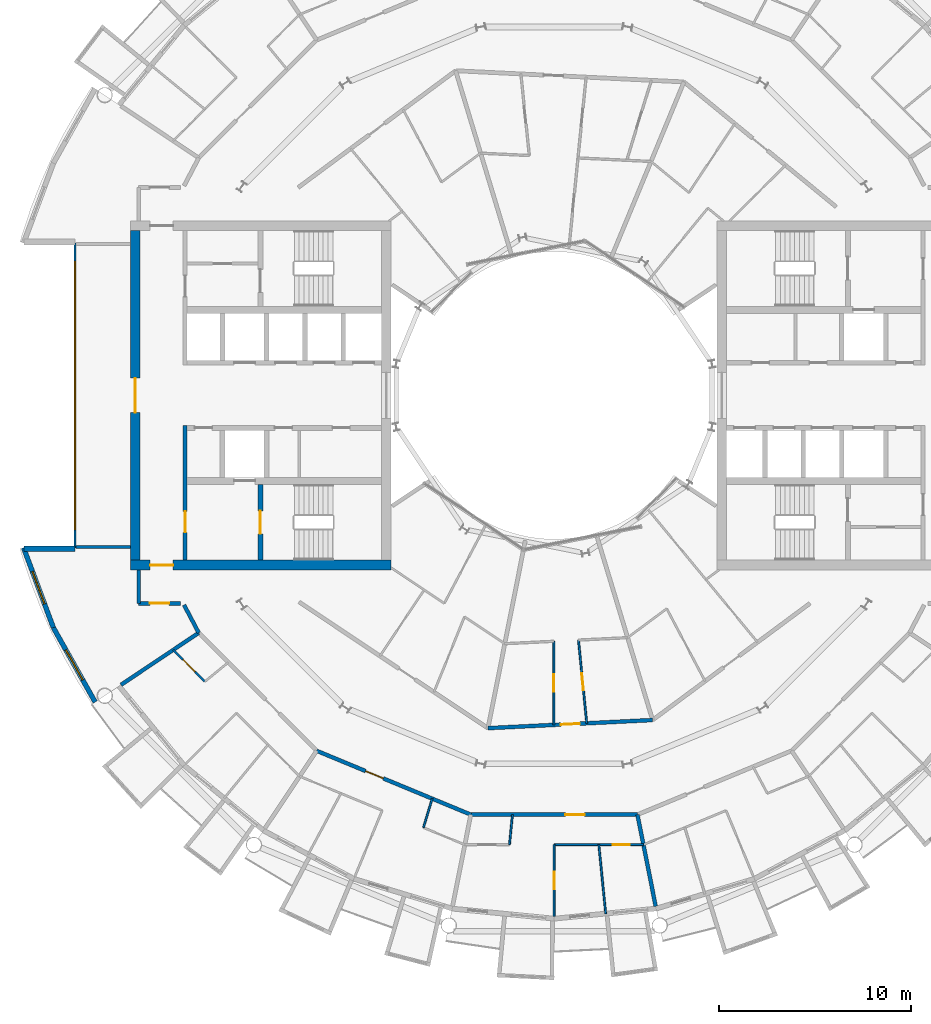
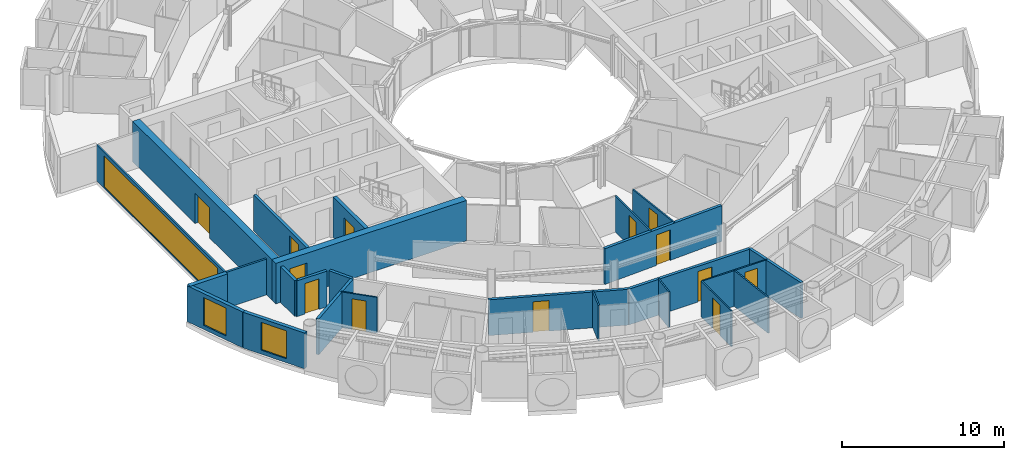
# One storey, part 15 of 27: 25 walls, 13 doors, 3 windows, 16 openings.
"""IFC4 building model written with IfcOpenShell, lengths in metres."""

import ifcopenshell
import ifcopenshell.guid

model = None  # the IFC model being written
_history = None  # IfcOwnerHistory: only IFC2X3 demands one
_inside = {}  # id of a spatial element -> (the spatial element, [elements in it])
_under = {}  # id of a project, library or spatial element -> (it, [spatial elements below it])
_declared = {}  # id of a project -> (the project, [libraries it declares])
_typed = {}  # id of a type object -> (the type object, [elements of that type])
_made_of = {}  # id of a material, layer set ... -> (it, [elements and type objects made of it])


def new_model(schema):
    """Start an empty IFC model of exactly this schema.

    Asked for "IFC4X3", IfcOpenShell would pick the latest addendum, in which some entities
    have other attributes; the version numbers below select the first issue.
    IFC2X3 requires an IfcOwnerHistory on every rooted entity: one is made here for all.
    """
    global model, _history
    if schema == "IFC4X3":
        model = ifcopenshell.file(schema_version=(4, 3, 0, 0))
    else:
        model = ifcopenshell.file(schema=schema)
    _inside.clear()
    _under.clear()
    _declared.clear()
    _typed.clear()
    _made_of.clear()
    _history = None
    if model.schema == "IFC2X3":
        org = make("IfcOrganization", Name="unknown")
        user = make(
            "IfcPersonAndOrganization",
            ThePerson=make("IfcPerson", FamilyName="unknown"),
            TheOrganization=org,
        )
        app = make(
            "IfcApplication",
            ApplicationDeveloper=org,
            Version="unknown",
            ApplicationFullName="unknown",
            ApplicationIdentifier="unknown",
        )
        _history = make(
            "IfcOwnerHistory",
            OwningUser=user,
            OwningApplication=app,
            ChangeAction="ADDED",
            CreationDate=0,
        )
    return model


def make(cls, **values):
    """One entity of the class cls with the attributes given. An attribute that is None is left unset."""
    return model.create_entity(
        cls, **{name: value for name, value in values.items() if value is not None}
    )


def rooted(cls, **values):
    """An entity with a GlobalId (a new one), such as an element, a storey or a relation."""
    return make(cls, GlobalId=ifcopenshell.guid.new(), OwnerHistory=_history, **values)


def si_unit(unit_type, name, prefix=None):
    """IfcSIUnit, for example si_unit("LENGTHUNIT", "METRE", prefix="MILLI")."""
    return make("IfcSIUnit", UnitType=unit_type, Prefix=prefix, Name=name)


def assignment(units):
    """IfcUnitAssignment: the units of a project."""
    return None if units is None else make("IfcUnitAssignment", Units=units)


def point(xyz):
    """IfcCartesianPoint."""
    return None if xyz is None else make("IfcCartesianPoint", Coordinates=xyz)


def direction(xyz):
    """IfcDirection."""
    return None if xyz is None else make("IfcDirection", DirectionRatios=xyz)


def frame(location, z_axis=None, x_axis=None):
    """IfcAxis2Placement3D, a coordinate frame: its origin and axes. An axis left out is left unset."""
    return make(
        "IfcAxis2Placement3D",
        Location=point(location),
        Axis=direction(z_axis),
        RefDirection=direction(x_axis),
    )


def frame_2d(location, x_axis=None):
    """IfcAxis2Placement2D, a coordinate frame in the plane: its origin and x axis."""
    return make(
        "IfcAxis2Placement2D", Location=point(location), RefDirection=direction(x_axis)
    )


def origin():
    """The frame at (0, 0, 0) with its axes left unset."""
    return frame((0.0, 0.0, 0.0))


def place(relative_to, where):
    """IfcLocalPlacement: puts the frame where relative to a parent placement (None: the world)."""
    return make(
        "IfcLocalPlacement", PlacementRelTo=relative_to, RelativePlacement=where
    )


def context(
    kind, dimensions, precision=None, world=None, true_north=None, identifier=None
):
    """IfcGeometricRepresentationContext, for example the 3D "Model" context."""
    return make(
        "IfcGeometricRepresentationContext",
        ContextIdentifier=identifier,
        ContextType=kind,
        CoordinateSpaceDimension=dimensions,
        Precision=precision,
        WorldCoordinateSystem=world,
        TrueNorth=true_north,
    )


def subcontext(parent, identifier, kind, view, scale=None):
    """IfcGeometricRepresentationSubContext, for example "Body" below "Model"."""
    return make(
        "IfcGeometricRepresentationSubContext",
        ContextIdentifier=identifier,
        ContextType=kind,
        ParentContext=parent,
        TargetScale=scale,
        TargetView=view,
    )


def project(units=None, contexts=None):
    """IfcProject with its units and contexts."""
    return rooted(
        "IfcProject",
        Name="project",
        RepresentationContexts=contexts,
        UnitsInContext=assignment(units),
    )


def spatial(cls, under=None, at=None, **own):
    """A site, building, storey or space (cls), placed at a placement, below another one or the project."""
    s = rooted(cls, ObjectPlacement=at, **own)
    if under is not None:
        _under.setdefault(under.id(), (under, []))[1].append(s)
    return s


def profile(cls, at=None, kind="AREA", **sizes):
    """A parametric profile (cls). Its sizes go by their IFC names, for example OverallWidth=200.0."""
    return make(cls, ProfileType=kind, Position=at, **sizes)


def rectangle(**sizes):
    """IfcRectangleProfileDef."""
    return profile("IfcRectangleProfileDef", **sizes)


def extrude(swept, where, along, depth):
    """IfcExtrudedAreaSolid: the profile swept, set in the frame where, extruded along a direction by depth."""
    return make(
        "IfcExtrudedAreaSolid",
        SweptArea=swept,
        Position=where,
        ExtrudedDirection=direction(along),
        Depth=depth,
    )


def shape(context_of_items, identifier, shape_type, items):
    """IfcShapeRepresentation: the items that make up one representation, for example the "Body"."""
    return make(
        "IfcShapeRepresentation",
        ContextOfItems=context_of_items,
        RepresentationIdentifier=identifier,
        RepresentationType=shape_type,
        Items=items,
    )


def material(Name=None, Category=None):
    """IfcMaterial."""
    return make("IfcMaterial", Name=Name, Category=Category)


def layer(
    of_material, thickness, ventilated=None, Name=None, Category=None, Priority=None
):
    """IfcMaterialLayer: one layer of a wall or slab, of a material (None: an air gap)."""
    return make(
        "IfcMaterialLayer",
        Material=of_material,
        LayerThickness=thickness,
        IsVentilated=ventilated,
        Name=Name,
        Category=Category,
        Priority=Priority,
    )


def layer_set(layers, Name=None):
    """IfcMaterialLayerSet."""
    return make("IfcMaterialLayerSet", MaterialLayers=layers, LayerSetName=Name)


def made_of(thing, what):
    """Note that an element or type object is made of a material, layer set ...; save() writes the relation."""
    if what is not None:
        _made_of.setdefault(what.id(), (what, []))[1].append(thing)
    return thing


def type_object(cls, material=None, **own):
    """A type object (cls), such as IfcWallType, which elements share."""
    return made_of(rooted(cls, **own), material)


def element(
    cls,
    number,
    at=None,
    inside=None,
    cuts=None,
    type_object=None,
    material=None,
    context=None,
    identifier="Body",
    shape_type=None,
    held_by="IfcProductDefinitionShape",
    body=None,
    shapes=None,
    **own,
):
    """One element of the class cls, such as IfcWall. Its Tag is "e" and its number.

    at: its placement. inside: the storey or other place that contains it. cuts: it is an
    opening in that element (IfcRelVoidsElement). A single representation is given by context,
    identifier, shape_type and body (its items); several are given by shapes. held_by: the class
    of the entity that holds the representations. save() writes the other relations.
    """
    e = rooted(cls, Tag="e%d" % number, ObjectPlacement=at, **own)
    if body is not None:
        shapes = [shape(context, identifier, shape_type, body)]
    if shapes is not None:
        e.Representation = make(held_by, Representations=shapes)
    if inside is not None:
        _inside.setdefault(inside.id(), (inside, []))[1].append(e)
    if cuts is not None:
        rooted(
            "IfcRelVoidsElement", RelatingBuildingElement=cuts, RelatedOpeningElement=e
        )
    if type_object is not None:
        _typed.setdefault(type_object.id(), (type_object, []))[1].append(e)
    return made_of(e, material)


def fill(opening, filler):
    """IfcRelFillsElement: the door or window that sits in an opening."""
    return rooted(
        "IfcRelFillsElement",
        RelatingOpeningElement=opening,
        RelatedBuildingElement=filler,
    )


def aggregate(whole, parts):
    """IfcRelAggregates: a whole, such as a stair, and the parts it consists of."""
    return rooted("IfcRelAggregates", RelatingObject=whole, RelatedObjects=parts)


def save(model, path):
    """Write the relations noted so far, then the file.

    IfcRelAggregates (storeys below a building ...), IfcRelContainedInSpatialStructure (elements
    in a storey), IfcRelDefinesByType, IfcRelAssociatesMaterial and IfcRelDeclares: one each for
    every whole, place, type object, material and project.
    """
    for whole, parts in _under.values():
        aggregate(whole, parts)
    for where, things in _inside.values():
        rooted(
            "IfcRelContainedInSpatialStructure",
            RelatedElements=things,
            RelatingStructure=where,
        )
    for kind, things in _typed.values():
        rooted("IfcRelDefinesByType", RelatedObjects=things, RelatingType=kind)
    for what, things in _made_of.values():
        rooted("IfcRelAssociatesMaterial", RelatedObjects=things, RelatingMaterial=what)
    for by, libraries in _declared.values():
        rooted("IfcRelDeclares", RelatingContext=by, RelatedDefinitions=libraries)
    model.write(path)


model = new_model("IFC4")

# Units and contexts
model_context = context("Model", 3, precision=1e-05, world=origin(), true_north=direction((0.0, 1.0)))
body_context = subcontext(model_context, "Body", "Model", "MODEL_VIEW")
ifc_project = project(units=[si_unit("LENGTHUNIT", "METRE"), si_unit("AREAUNIT", "SQUARE_METRE"), si_unit("VOLUMEUNIT", "CUBIC_METRE"), si_unit("PLANEANGLEUNIT", "RADIAN"), si_unit("MASSUNIT", "GRAM", prefix="KILO")], contexts=[model_context])

# Site, building, storey
site_placement = place(None, origin())
site = spatial("IfcSite", under=ifc_project, at=site_placement, CompositionType="ELEMENT")
building_placement = place(site_placement, origin())
building = spatial("IfcBuilding", under=site, at=building_placement, Name="Maasbend Ring Residences", CompositionType="ELEMENT")
storey_placement = place(building_placement, frame((0.0, 0.0, 170.75)))
storey = spatial("IfcBuildingStorey", under=building, at=storey_placement, Name="L49", CompositionType="ELEMENT", Elevation=170.75)

# Wall, opening, door
ifc_material_1 = material(Name="Concrete C60/75", Category="concrete")
ifc_layer_1 = layer(ifc_material_1, 0.25)
ifc_layer_set_1 = layer_set([ifc_layer_1], Name="Concrete C60/75")
wall_type_1 = type_object("IfcWallType", Name="CORE WALL 250 C60/75", PredefinedType="SHEAR", material=ifc_layer_set_1)
wall_1_placement = place(storey_placement, frame((-15.324951171875, -4.64990234375, 0.0), z_axis=(0.0, 0.0, 1.0), x_axis=(0.0, -1.0, 0.0)))
wall_1 = element("IfcWall", 1, at=wall_1_placement, inside=storey, type_object=wall_type_1, Name="L49 core W wall STEN", PredefinedType="SHEAR", context=body_context, shape_type="SweptSolid", body=[
    extrude(rectangle(XDim=3.9501953125, YDim=0.25, at=frame_2d((1.97509765625, 0.0))), origin(), (0.0, 0.0, 1.0), 3.050048828125),
])
opening_1_placement = place(wall_1_placement, frame((1.375, 0.0, 0.0)))
opening_1 = element("IfcOpeningElement", 2, at=opening_1_placement, cuts=wall_1, Name="Opening D-W4910", PredefinedType="OPENING", context=body_context, shape_type="SweptSolid", body=[
    extrude(rectangle(XDim=1.199951171875, YDim=2.300048828125, at=frame_2d((0.60009765625, 1.14990234375))), frame((0.0, 0.135009765625, 0.0), z_axis=(0.0, -1.0, 0.0), x_axis=(1.0, 0.0, 0.0)), (0.0, 0.0, 1.0), 0.27001953125),
])
ifc_material_2 = material(Name="Steel, powder coated", Category="steel")
door_type_1 = type_object("IfcDoorType", Name="STAIR DOOR 1200 X 2300 FD60", OperationType="NOTDEFINED", PredefinedType="DOOR", material=ifc_material_2)
door_1_placement = place(opening_1_placement, origin())
door_1 = element("IfcDoor", 3, at=door_1_placement, inside=storey, type_object=door_type_1, Name="Stair door ST-W L49", OperationType="SINGLE_SWING_LEFT", OverallHeight=2.300048828125, OverallWidth=1.199951171875, PredefinedType="DOOR", context=body_context, shape_type="SweptSolid", body=[
    extrude(rectangle(XDim=1.199951171875, YDim=2.300048828125, at=frame_2d((0.60009765625, 1.14990234375))), frame((0.0, 0.02490234375, 0.0), z_axis=(0.0, -1.0, 0.0), x_axis=(1.0, 0.0, 0.0)), (0.0, 0.0, 1.0), 0.050048828125),
])
fill(opening_1, door_1)

ifc_material_3 = material(Name="Concrete C60/75", Category="concrete")
ifc_layer_2 = layer(ifc_material_3, 0.5)
ifc_layer_set_2 = layer_set([ifc_layer_2], Name="Concrete C60/75")
wall_type_2 = type_object("IfcWallType", Name="CORE WALL 500 C60/75", PredefinedType="SHEAR", material=ifc_layer_set_2)
wall_2_placement = place(storey_placement, frame((-22.10009765625, -8.85009765625, 0.0), z_axis=(0.0, 0.0, 1.0), x_axis=(1.0, 0.0, 0.0)))
wall_2 = element("IfcWall", 4, at=wall_2_placement, inside=storey, type_object=wall_type_2, Name="L49 core W wall PN", PredefinedType="SHEAR", context=body_context, shape_type="SweptSolid", body=[
    extrude(rectangle(XDim=13.60009765625, YDim=0.5, at=frame_2d((6.800048828125, 0.0))), origin(), (0.0, 0.0, 1.0), 3.050048828125),
])
opening_2_placement = place(wall_2_placement, frame((1.02490234375, 0.0, 0.0)))
opening_2 = element("IfcOpeningElement", 5, at=opening_2_placement, cuts=wall_2, Name="Opening D-W4914", PredefinedType="OPENING", context=body_context, shape_type="SweptSolid", body=[
    extrude(rectangle(XDim=1.199951171875, YDim=2.300048828125, at=frame_2d((0.60009765625, 1.14990234375))), frame((0.0, 0.260009765625, 0.0), z_axis=(0.0, -1.0, 0.0), x_axis=(1.0, 0.0, 0.0)), (0.0, 0.0, 1.0), 0.52001953125),
])
ifc_material_4 = material(Name="Steel, powder coated", Category="steel")
door_type_2 = type_object("IfcDoorType", Name="CORRIDOR DOOR 1200 X 2300 FD30S", OperationType="NOTDEFINED", PredefinedType="DOOR", material=ifc_material_4)
door_2_placement = place(opening_2_placement, origin())
door_2 = element("IfcDoor", 6, at=door_2_placement, inside=storey, type_object=door_type_2, Name="Corridor door L49", OperationType="SINGLE_SWING_RIGHT", OverallHeight=2.300048828125, OverallWidth=1.199951171875, PredefinedType="DOOR", context=body_context, shape_type="SweptSolid", body=[
    extrude(rectangle(XDim=1.199951171875, YDim=2.300048828125, at=frame_2d((0.60009765625, 1.14990234375))), frame((0.0, 0.02490234375, 0.0), z_axis=(0.0, -1.0, 0.0), x_axis=(1.0, 0.0, 0.0)), (0.0, 0.0, 1.0), 0.050048828125),
])
fill(opening_2, door_2)

wall_3_placement = place(storey_placement, frame((-21.85009765625, -8.60009765625, 0.0), z_axis=(0.0, 0.0, 1.0), x_axis=(0.0, 1.0, 0.0)))
wall_3 = element("IfcWall", 7, at=wall_3_placement, inside=storey, type_object=wall_type_2, Name="L49 core W wall POUT", PredefinedType="SHEAR", context=body_context, shape_type="SweptSolid", body=[
    extrude(rectangle(XDim=17.2001953125, YDim=0.5, at=frame_2d((8.60009765625, 0.0))), origin(), (0.0, 0.0, 1.0), 3.050048828125),
])
opening_3_placement = place(wall_3_placement, frame((7.699951171875, 0.0, 0.0)))
opening_3 = element("IfcOpeningElement", 8, at=opening_3_placement, cuts=wall_3, Name="Opening D-W4916", PredefinedType="OPENING", context=body_context, shape_type="SweptSolid", body=[
    extrude(rectangle(XDim=1.800048828125, YDim=2.300048828125, at=frame_2d((0.89990234375, 1.14990234375))), frame((0.0, 0.260009765625, 0.0), z_axis=(0.0, -1.0, 0.0), x_axis=(1.0, 0.0, 0.0)), (0.0, 0.0, 1.0), 0.52001953125),
])
ifc_material_5 = material(Name="Aluminium frame, clear glass", Category="aluminium")
door_type_3 = type_object("IfcDoorType", Name="ENTRANCE DOOR 1800 X 2300 FD60", OperationType="NOTDEFINED", PredefinedType="DOOR", material=ifc_material_5)
door_3_placement = place(opening_3_placement, origin())
door_3 = element("IfcDoor", 9, at=door_3_placement, inside=storey, type_object=door_type_3, Name="Lobby glazed door L49", OperationType="SINGLE_SWING_LEFT", OverallHeight=2.300048828125, OverallWidth=1.800048828125, PredefinedType="DOOR", context=body_context, shape_type="SweptSolid", body=[
    extrude(rectangle(XDim=1.800048828125, YDim=2.300048828125, at=frame_2d((0.89990234375, 1.14990234375))), frame((0.0, 0.02490234375, 0.0), z_axis=(0.0, -1.0, 0.0), x_axis=(1.0, 0.0, 0.0)), (0.0, 0.0, 1.0), 0.050048828125),
])
fill(opening_3, door_3)

# Wall
ifc_material_6 = material(Name="Concrete C30/37", Category="concrete")
ifc_layer_3 = layer(ifc_material_6, 0.199951171875)
ifc_layer_set_3 = layer_set([ifc_layer_3], Name="Concrete C30/37")
wall_type_3 = type_object("IfcWallType", Name="CORRIDOR WALL 200 CONCRETE", PredefinedType="PARTITIONING", material=ifc_layer_set_3)
wall_4_placement = place(storey_placement, frame((-19.306884765625, -10.93505859375, 0.0), z_axis=(0.0, 0.0, 1.0), x_axis=(0.465605550524, -0.884992356646, 0.0)))
element("IfcWall", 10, at=wall_4_placement, inside=storey, type_object=wall_type_3, Name="U-L49-w011", PredefinedType="PARTITIONING", context=body_context, shape_type="SweptSolid", body=[
    extrude(rectangle(XDim=1.642822265625, YDim=0.199951171875, at=frame_2d((0.8212890625, 0.0))), origin(), (0.0, 0.0, 1.0), 2.699951171875),
])

# Wall, opening, door
wall_5_placement = place(storey_placement, frame((-12.388916015625, -18.5419921875, 0.0), z_axis=(0.0, 0.0, 1.0), x_axis=(0.923867858178, -0.382711615483, 0.0)))
wall_5 = element("IfcWall", 11, at=wall_5_placement, inside=storey, type_object=wall_type_3, Name="U-L49-w014", PredefinedType="PARTITIONING", context=body_context, shape_type="SweptSolid", body=[
    extrude(rectangle(XDim=8.708984375, YDim=0.199951171875, at=frame_2d((4.3544921875, 0.0))), origin(), (0.0, 0.0, 1.0), 2.699951171875),
])
opening_4_placement = place(wall_5_placement, frame((2.762939453125, 0.0, 0.0)))
opening_4 = element("IfcOpeningElement", 12, at=opening_4_placement, cuts=wall_5, Name="Opening D-4938", PredefinedType="OPENING", context=body_context, shape_type="SweptSolid", body=[
    extrude(rectangle(XDim=1.0, YDim=2.300048828125, at=frame_2d((0.5, 1.14990234375))), frame((0.0, 0.10986328125, 0.0), z_axis=(0.0, -1.0, 0.0), x_axis=(1.0, 0.0, 0.0)), (0.0, 0.0, 1.0), 0.219970703125),
])
ifc_material_7 = material(Name="Timber, fire-rated, painted", Category="wood")
door_type_4 = type_object("IfcDoorType", Name="FLAT ENTRANCE DOOR 1000 X 2300 FIRE-RATED", OperationType="NOTDEFINED", PredefinedType="DOOR", material=ifc_material_7)
door_4_placement = place(opening_4_placement, origin())
door_4 = element("IfcDoor", 13, at=door_4_placement, inside=storey, type_object=door_type_4, Name="D-4938", OperationType="SINGLE_SWING_LEFT", OverallHeight=2.300048828125, OverallWidth=1.0, PredefinedType="DOOR", context=body_context, shape_type="SweptSolid", body=[
    extrude(rectangle(XDim=1.0, YDim=2.300048828125, at=frame_2d((0.5, 1.14990234375))), frame((0.0, 0.02490234375, 0.0), z_axis=(0.0, -1.0, 0.0), x_axis=(1.0, 0.0, 0.0)), (0.0, 0.0, 1.0), 0.050048828125),
])
fill(opening_4, door_4)

wall_6_placement = place(storey_placement, frame((-4.35107421875, -21.8720703125, 0.0), z_axis=(0.0, 0.0, 1.0), x_axis=(1.0, 0.0, 0.0)))
wall_6 = element("IfcWall", 14, at=wall_6_placement, inside=storey, type_object=wall_type_3, Name="U-L49-w015", PredefinedType="PARTITIONING", context=body_context, shape_type="SweptSolid", body=[
    extrude(rectangle(XDim=8.7021484375, YDim=0.199951171875, at=frame_2d((4.35107421875, 0.0))), origin(), (0.0, 0.0, 1.0), 2.699951171875),
])
opening_5_placement = place(wall_6_placement, frame((4.93896484375, 0.0, 0.0)))
opening_5 = element("IfcOpeningElement", 15, at=opening_5_placement, cuts=wall_6, Name="Opening D-4942", PredefinedType="OPENING", context=body_context, shape_type="SweptSolid", body=[
    extrude(rectangle(XDim=1.0, YDim=2.300048828125, at=frame_2d((0.5, 1.14990234375))), frame((0.0, 0.10986328125, 0.0), z_axis=(0.0, -1.0, 0.0), x_axis=(1.0, 0.0, 0.0)), (0.0, 0.0, 1.0), 0.219970703125),
])
door_5_placement = place(opening_5_placement, origin())
door_5 = element("IfcDoor", 16, at=door_5_placement, inside=storey, type_object=door_type_4, Name="D-4942", OperationType="SINGLE_SWING_RIGHT", OverallHeight=2.300048828125, OverallWidth=1.0, PredefinedType="DOOR", context=body_context, shape_type="SweptSolid", body=[
    extrude(rectangle(XDim=1.0, YDim=2.300048828125, at=frame_2d((0.5, 1.14990234375))), frame((0.0, 0.02490234375, 0.0), z_axis=(0.0, -1.0, 0.0), x_axis=(1.0, 0.0, 0.0)), (0.0, 0.0, 1.0), 0.050048828125),
])
fill(opening_5, door_5)

wall_7_placement = place(storey_placement, frame((-3.452880859375, -17.361083984375, 0.0), z_axis=(0.0, 0.0, 1.0), x_axis=(0.998789433108, 0.049190124121, 0.0)))
wall_7 = element("IfcWall", 17, at=wall_7_placement, inside=storey, type_object=wall_type_3, Name="U-L49-w020", PredefinedType="PARTITIONING", context=body_context, shape_type="SweptSolid", body=[
    extrude(rectangle(XDim=8.601318359375, YDim=0.199951171875, at=frame_2d((4.30078125, 0.0))), origin(), (0.0, 0.0, 1.0), 2.699951171875),
])
opening_6_placement = place(wall_7_placement, frame((3.802978515625, 0.0, 0.0)))
opening_6 = element("IfcOpeningElement", 18, at=opening_6_placement, cuts=wall_7, Name="Opening D-4958", PredefinedType="OPENING", context=body_context, shape_type="SweptSolid", body=[
    extrude(rectangle(XDim=1.0, YDim=2.300048828125, at=frame_2d((0.5, 1.14990234375))), frame((0.0, 0.10986328125, 0.0), z_axis=(0.0, -1.0, 0.0), x_axis=(1.0, 0.0, 0.0)), (0.0, 0.0, 1.0), 0.219970703125),
])
door_6_placement = place(opening_6_placement, origin())
door_6 = element("IfcDoor", 19, at=door_6_placement, inside=storey, type_object=door_type_4, Name="D-4958", OperationType="SINGLE_SWING_RIGHT", OverallHeight=2.300048828125, OverallWidth=1.0, PredefinedType="DOOR", context=body_context, shape_type="SweptSolid", body=[
    extrude(rectangle(XDim=1.0, YDim=2.300048828125, at=frame_2d((0.5, 1.14990234375))), frame((0.0, 0.02490234375, 0.0), z_axis=(0.0, -1.0, 0.0), x_axis=(1.0, 0.0, 0.0)), (0.0, 0.0, 1.0), 0.050048828125),
])
fill(opening_6, door_6)

wall_8_placement = place(storey_placement, frame((-21.675048828125, -10.85009765625, 0.0), z_axis=(0.0, 0.0, 1.0), x_axis=(1.0, 0.0, 0.0)))
wall_8 = element("IfcWall", 20, at=wall_8_placement, inside=storey, type_object=wall_type_3, Name="U-L49-w029", PredefinedType="PARTITIONING", context=body_context, shape_type="SweptSolid", body=[
    extrude(rectangle(XDim=2.171142578125, YDim=0.199951171875, at=frame_2d((1.08544921875, 0.0))), origin(), (0.0, 0.0, 1.0), 2.699951171875),
])
opening_7_placement = place(wall_8_placement, frame((0.5849609375, 0.0, 0.0)))
opening_7 = element("IfcOpeningElement", 21, at=opening_7_placement, cuts=wall_8, Name="Opening D-4965", PredefinedType="OPENING", context=body_context, shape_type="SweptSolid", body=[
    extrude(rectangle(XDim=1.0, YDim=2.300048828125, at=frame_2d((0.5, 1.14990234375))), frame((0.0, 0.10986328125, 0.0), z_axis=(0.0, -1.0, 0.0), x_axis=(1.0, 0.0, 0.0)), (0.0, 0.0, 1.0), 0.219970703125),
])
ifc_material_8 = material(Name="Timber, painted", Category="wood")
door_type_5 = type_object("IfcDoorType", Name="ROOM DOOR 1000 X 2300", OperationType="NOTDEFINED", PredefinedType="DOOR", material=ifc_material_8)
door_7_placement = place(opening_7_placement, origin())
door_7 = element("IfcDoor", 22, at=door_7_placement, inside=storey, type_object=door_type_5, Name="D-4965", OperationType="SINGLE_SWING_LEFT", OverallHeight=2.300048828125, OverallWidth=1.0, PredefinedType="DOOR", context=body_context, shape_type="SweptSolid", body=[
    extrude(rectangle(XDim=1.0, YDim=2.300048828125, at=frame_2d((0.5, 1.14990234375))), frame((0.0, 0.02490234375, 0.0), z_axis=(0.0, -1.0, 0.0), x_axis=(1.0, 0.0, 0.0)), (0.0, 0.0, 1.0), 0.050048828125),
])
fill(opening_7, door_7)

# Wall
wall_9_placement = place(storey_placement, frame((-21.675048828125, -10.85009765625, 0.0), z_axis=(0.0, 0.0, 1.0), x_axis=(0.0, 1.0, 0.0)))
element("IfcWall", 23, at=wall_9_placement, inside=storey, type_object=wall_type_3, Name="U-L49-w107", PredefinedType="PARTITIONING", context=body_context, shape_type="SweptSolid", body=[
    extrude(rectangle(XDim=1.75, YDim=0.199951171875, at=frame_2d((0.875, 0.0))), origin(), (0.0, 0.0, 1.0), 2.699951171875),
])

# Wall, opening, window
ifc_material_9 = material(Name="Aluminium clad insulated panel", Category="aluminium")
ifc_layer_4 = layer(ifc_material_9, 0.25)
ifc_layer_set_4 = layer_set([ifc_layer_4], Name="EW-HORN")
wall_type_4 = type_object("IfcWallType", Name="EW-HORN", PredefinedType="SOLIDWALL", material=ifc_layer_set_4)
wall_10_placement = place(storey_placement, frame((-27.681884765625, -7.945068359375, 0.0), z_axis=(0.0, 0.0, 1.0), x_axis=(0.349247811493, -0.937030397675, 0.0)))
wall_10 = element("IfcWall", 24, at=wall_10_placement, inside=storey, type_object=wall_type_4, Name="Horn wall 3.1", PredefinedType="SOLIDWALL", context=body_context, shape_type="SweptSolid", body=[
    extrude(rectangle(XDim=4.4521484375, YDim=0.25, at=frame_2d((2.22607421875, 0.0))), origin(), (0.0, 0.0, 1.0), 2.699951171875),
])
opening_8_placement = place(wall_10_placement, frame((1.32666015625, 0.0, 0.300048828125)))
opening_8 = element("IfcOpeningElement", 25, at=opening_8_placement, cuts=wall_10, Name="Opening W-BX", PredefinedType="OPENING", context=body_context, shape_type="SweptSolid", body=[
    extrude(rectangle(XDim=1.800048828125, YDim=2.10009765625, at=frame_2d((0.89990234375, 1.050048828125))), frame((0.0, 0.135009765625, 0.0), z_axis=(0.0, -1.0, 0.0), x_axis=(1.0, 0.0, 0.0)), (0.0, 0.0, 1.0), 0.27001953125),
])
ifc_material_10 = material(Name="Aluminium and clear glass", Category="aluminium")
window_type_1 = type_object("IfcWindowType", Name="W-BX", PartitioningType="DOUBLE_PANEL_VERTICAL", PredefinedType="WINDOW", material=ifc_material_10)
window_1_placement = place(opening_8_placement, origin())
window_1 = element("IfcWindow", 26, at=window_1_placement, inside=storey, type_object=window_type_1, Name="Horn window 3.1", OverallHeight=2.10009765625, OverallWidth=1.800048828125, PartitioningType="SINGLE_PANEL", PredefinedType="WINDOW", context=body_context, shape_type="SweptSolid", body=[
    extrude(rectangle(XDim=1.800048828125, YDim=2.10009765625, at=frame_2d((0.89990234375, 1.050048828125))), frame((0.0, 0.030029296875, 0.0), z_axis=(0.0, -1.0, 0.0), x_axis=(1.0, 0.0, 0.0)), (0.0, 0.0, 1.0), 0.06005859375),
])
fill(opening_8, window_1)

wall_11_placement = place(storey_placement, frame((-26.126953125, -12.116943359375, 0.0), z_axis=(0.0, 0.0, 1.0), x_axis=(0.489696356642, -0.871893042919, 0.0)))
wall_11 = element("IfcWall", 27, at=wall_11_placement, inside=storey, type_object=wall_type_4, Name="Horn wall 3.2", PredefinedType="SOLIDWALL", context=body_context, shape_type="SweptSolid", body=[
    extrude(rectangle(XDim=4.45361328125, YDim=0.25, at=frame_2d((2.226806640625, 0.0))), origin(), (0.0, 0.0, 1.0), 2.699951171875),
])
opening_9_placement = place(wall_11_placement, frame((1.32666015625, 0.0, 0.300048828125)))
opening_9 = element("IfcOpeningElement", 28, at=opening_9_placement, cuts=wall_11, Name="Opening W-BX", PredefinedType="OPENING", context=body_context, shape_type="SweptSolid", body=[
    extrude(rectangle(XDim=1.800048828125, YDim=2.10009765625, at=frame_2d((0.89990234375, 1.050048828125))), frame((0.0, 0.135009765625, 0.0), z_axis=(0.0, -1.0, 0.0), x_axis=(1.0, 0.0, 0.0)), (0.0, 0.0, 1.0), 0.27001953125),
])
window_2_placement = place(opening_9_placement, origin())
window_2 = element("IfcWindow", 29, at=window_2_placement, inside=storey, type_object=window_type_1, Name="Horn window 3.2", OverallHeight=2.10009765625, OverallWidth=1.800048828125, PartitioningType="SINGLE_PANEL", PredefinedType="WINDOW", context=body_context, shape_type="SweptSolid", body=[
    extrude(rectangle(XDim=1.800048828125, YDim=2.10009765625, at=frame_2d((0.89990234375, 1.050048828125))), frame((0.0, 0.030029296875, 0.0), z_axis=(0.0, -1.0, 0.0), x_axis=(1.0, 0.0, 0.0)), (0.0, 0.0, 1.0), 0.06005859375),
])
fill(opening_9, window_2)

# Wall
ifc_material_11 = material(Name="Aluminium clad insulated panel", Category="aluminium")
ifc_layer_5 = layer(ifc_material_11, 0.300048828125)
ifc_layer_set_5 = layer_set([ifc_layer_5], Name="EW-RET")
wall_type_5 = type_object("IfcWallType", Name="EW-RET", PredefinedType="SOLIDWALL", material=ifc_layer_set_5)
wall_12_placement = place(storey_placement, frame((-25.0, -8.0, 0.0), z_axis=(0.0, 0.0, 1.0), x_axis=(-1.0, 0.0, 0.0)))
element("IfcWall", 30, at=wall_12_placement, inside=storey, type_object=wall_type_5, Name="Notch return wall west south", PredefinedType="SOLIDWALL", context=body_context, shape_type="SweptSolid", body=[
    extrude(rectangle(XDim=2.6669921875, YDim=0.300048828125, at=frame_2d((1.33349609375, 0.0))), origin(), (0.0, 0.0, 1.0), 2.699951171875),
])

# Wall, opening, window
ifc_material_12 = material(Name="Aluminium frame and clear glass", Category="aluminium")
ifc_layer_6 = layer(ifc_material_12, 0.1201171875)
ifc_layer_set_6 = layer_set([ifc_layer_6], Name="GLAZED SCREEN WALL 120 EI 60")
wall_type_6 = type_object("IfcWallType", Name="GLAZED SCREEN WALL 120 EI 60", PredefinedType="PARTITIONING", material=ifc_layer_set_6)
wall_13_placement = place(storey_placement, frame((-25.0, 7.949951171875, 0.0), z_axis=(0.0, 0.0, 1.0), x_axis=(0.0, -1.0, 0.0)))
wall_13 = element("IfcWall", 31, at=wall_13_placement, inside=storey, type_object=wall_type_6, Name="L49 core W wall FACE", PredefinedType="PARTITIONING", context=body_context, shape_type="SweptSolid", body=[
    extrude(rectangle(XDim=15.89990234375, YDim=0.1201171875, at=frame_2d((7.949951171875, 0.0))), origin(), (0.0, 0.0, 1.0), 2.699951171875),
])
opening_10_placement = place(wall_13_placement, frame((0.949951171875, 0.0, 0.10009765625)))
opening_10 = element("IfcOpeningElement", 32, at=opening_10_placement, cuts=wall_13, Name="Opening W-W4902", PredefinedType="OPENING", context=body_context, shape_type="SweptSolid", body=[
    extrude(rectangle(XDim=14.0, YDim=2.35009765625, at=frame_2d((7.0, 1.175048828125))), frame((0.0, 0.070068359375, 0.0), z_axis=(0.0, -1.0, 0.0), x_axis=(1.0, 0.0, 0.0)), (0.0, 0.0, 1.0), 0.14013671875),
])
ifc_material_13 = material(Name="Aluminium frame and clear glass", Category="aluminium")
window_type_2 = type_object("IfcWindowType", Name="FIXED WINDOW 14000 X 2350", PartitioningType="SINGLE_PANEL", PredefinedType="WINDOW", material=ifc_material_13)
window_3_placement = place(opening_10_placement, origin())
window_3 = element("IfcWindow", 33, at=window_3_placement, inside=storey, type_object=window_type_2, Name="Lobby window L49", OverallHeight=2.35009765625, OverallWidth=14.0, PartitioningType="SINGLE_PANEL", PredefinedType="WINDOW", context=body_context, shape_type="SweptSolid", body=[
    extrude(rectangle(XDim=14.0, YDim=2.35009765625, at=frame_2d((7.0, 1.175048828125))), frame((0.0, 0.030029296875, 0.0), z_axis=(0.0, -1.0, 0.0), x_axis=(1.0, 0.0, 0.0)), (0.0, 0.0, 1.0), 0.06005859375),
])
fill(opening_10, window_3)

# Wall, opening, door
ifc_material_14 = material(Name="Gypsum board on steel studs", Category="steel")
ifc_layer_7 = layer(ifc_material_14, 0.10009765625)
ifc_layer_set_7 = layer_set([ifc_layer_7], Name="PARTITION 100 GYPSUM")
wall_type_7 = type_object("IfcWallType", Name="PARTITION 100 GYPSUM", PredefinedType="PARTITIONING", material=ifc_layer_set_7)
wall_14_placement = place(storey_placement, frame((-19.8720703125, -13.278076171875, 0.0), z_axis=(0.0, 0.0, 1.0), x_axis=(0.706897299114, -0.707316201218, 0.0)))
wall_14 = element("IfcWall", 34, at=wall_14_placement, inside=storey, type_object=wall_type_7, Name="U-L49-w001", PredefinedType="PARTITIONING", context=body_context, shape_type="SweptSolid", body=[
    extrude(rectangle(XDim=2.331298828125, YDim=0.10009765625, at=frame_2d((1.16552734375, 0.0))), origin(), (0.0, 0.0, 1.0), 2.699951171875),
])
opening_11_placement = place(wall_14_placement, frame((0.716064453125, 0.0, 0.0)))
opening_11 = element("IfcOpeningElement", 35, at=opening_11_placement, cuts=wall_14, Name="Opening D-4935", PredefinedType="OPENING", context=body_context, shape_type="SweptSolid", body=[
    extrude(rectangle(XDim=0.89990234375, YDim=2.300048828125, at=frame_2d((0.449951171875, 1.14990234375))), frame((0.0, 0.06005859375, 0.0), z_axis=(0.0, -1.0, 0.0), x_axis=(1.0, 0.0, 0.0)), (0.0, 0.0, 1.0), 0.1201171875),
])
ifc_material_15 = material(Name="Timber, painted", Category="wood")
door_type_6 = type_object("IfcDoorType", Name="INTERNAL DOOR 900 X 2300", OperationType="NOTDEFINED", PredefinedType="DOOR", material=ifc_material_15)
door_8_placement = place(opening_11_placement, origin())
door_8 = element("IfcDoor", 36, at=door_8_placement, inside=storey, type_object=door_type_6, Name="D-4935", OperationType="SINGLE_SWING_RIGHT", OverallHeight=2.300048828125, OverallWidth=0.89990234375, PredefinedType="DOOR", context=body_context, shape_type="SweptSolid", body=[
    extrude(rectangle(XDim=0.89990234375, YDim=2.300048828125, at=frame_2d((0.449951171875, 1.14990234375))), frame((0.0, 0.02490234375, 0.0), z_axis=(0.0, -1.0, 0.0), x_axis=(1.0, 0.0, 0.0)), (0.0, 0.0, 1.0), 0.050048828125),
])
fill(opening_11, door_8)

wall_15_placement = place(storey_placement, frame((0.0, -23.44091796875, 0.0), z_axis=(0.0, 0.0, 1.0), x_axis=(1.0, 0.0, 0.0)))
wall_15 = element("IfcWall", 37, at=wall_15_placement, inside=storey, type_object=wall_type_7, Name="U-L49-w006", PredefinedType="PARTITIONING", context=body_context, shape_type="SweptSolid", body=[
    extrude(rectangle(XDim=4.6630859375, YDim=0.10009765625, at=frame_2d((2.33154296875, 0.0))), origin(), (0.0, 0.0, 1.0), 2.699951171875),
])
opening_12_placement = place(wall_15_placement, frame((3.047119140625, 0.0, 0.0)))
opening_12 = element("IfcOpeningElement", 38, at=opening_12_placement, cuts=wall_15, Name="Opening D-4945", PredefinedType="OPENING", context=body_context, shape_type="SweptSolid", body=[
    extrude(rectangle(XDim=0.89990234375, YDim=2.300048828125, at=frame_2d((0.449951171875, 1.14990234375))), frame((0.0, 0.06005859375, 0.0), z_axis=(0.0, -1.0, 0.0), x_axis=(1.0, 0.0, 0.0)), (0.0, 0.0, 1.0), 0.1201171875),
])
door_9_placement = place(opening_12_placement, origin())
door_9 = element("IfcDoor", 39, at=door_9_placement, inside=storey, type_object=door_type_6, Name="D-4945", OperationType="SINGLE_SWING_RIGHT", OverallHeight=2.300048828125, OverallWidth=0.89990234375, PredefinedType="DOOR", context=body_context, shape_type="SweptSolid", body=[
    extrude(rectangle(XDim=0.89990234375, YDim=2.300048828125, at=frame_2d((0.449951171875, 1.14990234375))), frame((0.0, 0.02490234375, 0.0), z_axis=(0.0, -1.0, 0.0), x_axis=(1.0, 0.0, 0.0)), (0.0, 0.0, 1.0), 0.050048828125),
])
fill(opening_12, door_9)

# Walls
wall_16_placement = place(storey_placement, frame((-6.81689453125, -22.549072265625, 0.0), z_axis=(0.0, 0.0, 1.0), x_axis=(0.289547780579, 0.957163561134, 0.0)))
element("IfcWall", 40, at=wall_16_placement, inside=storey, type_object=wall_type_7, Name="U-L49-w033", PredefinedType="PARTITIONING", context=body_context, shape_type="SweptSolid", body=[
    extrude(rectangle(XDim=1.57763671875, YDim=0.10009765625, at=frame_2d((0.788818359375, 0.0))), origin(), (0.0, 0.0, 1.0), 2.699951171875),
])
wall_17_placement = place(storey_placement, frame((-2.330078125, -23.44091796875, 0.0), z_axis=(0.0, 0.0, 1.0), x_axis=(0.098951748623, 0.995092232632, 0.0)))
element("IfcWall", 41, at=wall_17_placement, inside=storey, type_object=wall_type_7, Name="U-L49-w060", PredefinedType="PARTITIONING", context=body_context, shape_type="SweptSolid", body=[
    extrude(rectangle(XDim=1.57666015625, YDim=0.10009765625, at=frame_2d((0.788330078125, 0.0))), origin(), (0.0, 0.0, 1.0), 2.699951171875),
])

# Wall, opening, door
wall_18_placement = place(storey_placement, frame((-0.01708984375, -17.19091796875, 0.0), z_axis=(0.0, 0.0, 1.0), x_axis=(0.001175416181, 0.999999309198, 0.0)))
wall_18 = element("IfcWall", 42, at=wall_18_placement, inside=storey, type_object=wall_type_7, Name="U-L49-w062", PredefinedType="PARTITIONING", context=body_context, shape_type="SweptSolid", body=[
    extrude(rectangle(XDim=4.36181640625, YDim=0.10009765625, at=frame_2d((2.180908203125, 0.0))), origin(), (0.0, 0.0, 1.0), 2.699951171875),
])
opening_13_placement = place(wall_18_placement, frame((1.73095703125, 0.0, 0.0)))
opening_13 = element("IfcOpeningElement", 43, at=opening_13_placement, cuts=wall_18, Name="Opening D-4959", PredefinedType="OPENING", context=body_context, shape_type="SweptSolid", body=[
    extrude(rectangle(XDim=0.89990234375, YDim=2.300048828125, at=frame_2d((0.449951171875, 1.14990234375))), frame((0.0, 0.06005859375, 0.0), z_axis=(0.0, -1.0, 0.0), x_axis=(1.0, 0.0, 0.0)), (0.0, 0.0, 1.0), 0.1201171875),
])
door_10_placement = place(opening_13_placement, origin())
door_10 = element("IfcDoor", 44, at=door_10_placement, inside=storey, type_object=door_type_6, Name="D-4959", OperationType="SINGLE_SWING_LEFT", OverallHeight=2.300048828125, OverallWidth=0.89990234375, PredefinedType="DOOR", context=body_context, shape_type="SweptSolid", body=[
    extrude(rectangle(XDim=0.89990234375, YDim=2.300048828125, at=frame_2d((0.449951171875, 1.14990234375))), frame((0.0, 0.02490234375, 0.0), z_axis=(0.0, -1.0, 0.0), x_axis=(1.0, 0.0, 0.0)), (0.0, 0.0, 1.0), 0.050048828125),
])
fill(opening_13, door_10)

wall_19_placement = place(storey_placement, frame((0.0, -27.175048828125, 0.0), z_axis=(0.0, 0.0, 1.0), x_axis=(0.0, 1.0, 0.0)))
wall_19 = element("IfcWall", 45, at=wall_19_placement, inside=storey, type_object=wall_type_7, Name="U-L49-w063", PredefinedType="PARTITIONING", context=body_context, shape_type="SweptSolid", body=[
    extrude(rectangle(XDim=3.734130859375, YDim=0.10009765625, at=frame_2d((1.8671875, 0.0))), origin(), (0.0, 0.0, 1.0), 2.699951171875),
])
opening_14_placement = place(wall_19_placement, frame((1.4169921875, 0.0, 0.0)))
opening_14 = element("IfcOpeningElement", 46, at=opening_14_placement, cuts=wall_19, Name="Opening D-4944", PredefinedType="OPENING", context=body_context, shape_type="SweptSolid", body=[
    extrude(rectangle(XDim=0.89990234375, YDim=2.300048828125, at=frame_2d((0.449951171875, 1.14990234375))), frame((0.0, 0.06005859375, 0.0), z_axis=(0.0, -1.0, 0.0), x_axis=(1.0, 0.0, 0.0)), (0.0, 0.0, 1.0), 0.1201171875),
])
door_11_placement = place(opening_14_placement, origin())
door_11 = element("IfcDoor", 47, at=door_11_placement, inside=storey, type_object=door_type_6, Name="D-4944", OperationType="SINGLE_SWING_RIGHT", OverallHeight=2.300048828125, OverallWidth=0.89990234375, PredefinedType="DOOR", context=body_context, shape_type="SweptSolid", body=[
    extrude(rectangle(XDim=0.89990234375, YDim=2.300048828125, at=frame_2d((0.449951171875, 1.14990234375))), frame((0.0, 0.02490234375, 0.0), z_axis=(0.0, -1.0, 0.0), x_axis=(1.0, 0.0, 0.0)), (0.0, 0.0, 1.0), 0.050048828125),
])
fill(opening_14, door_11)

wall_20_placement = place(storey_placement, frame((1.27001953125, -12.76611328125, 0.0), z_axis=(0.0, 0.0, 1.0), x_axis=(0.099004993851, -0.9950869365, 0.0)))
wall_20 = element("IfcWall", 48, at=wall_20_placement, inside=storey, type_object=wall_type_7, Name="U-L49-w066", PredefinedType="PARTITIONING", context=body_context, shape_type="SweptSolid", body=[
    extrude(rectangle(XDim=4.3623046875, YDim=0.10009765625, at=frame_2d((2.18115234375, 0.0))), origin(), (0.0, 0.0, 1.0), 2.699951171875),
])
opening_15_placement = place(wall_20_placement, frame((1.73095703125, 0.0, 0.0)))
opening_15 = element("IfcOpeningElement", 49, at=opening_15_placement, cuts=wall_20, Name="Opening D-4960", PredefinedType="OPENING", context=body_context, shape_type="SweptSolid", body=[
    extrude(rectangle(XDim=0.89990234375, YDim=2.300048828125, at=frame_2d((0.449951171875, 1.14990234375))), frame((0.0, 0.06005859375, 0.0), z_axis=(0.0, -1.0, 0.0), x_axis=(1.0, 0.0, 0.0)), (0.0, 0.0, 1.0), 0.1201171875),
])
door_12_placement = place(opening_15_placement, origin())
door_12 = element("IfcDoor", 50, at=door_12_placement, inside=storey, type_object=door_type_6, Name="D-4960", OperationType="SINGLE_SWING_LEFT", OverallHeight=2.300048828125, OverallWidth=0.89990234375, PredefinedType="DOOR", context=body_context, shape_type="SweptSolid", body=[
    extrude(rectangle(XDim=0.89990234375, YDim=2.300048828125, at=frame_2d((0.449951171875, 1.14990234375))), frame((0.0, 0.02490234375, 0.0), z_axis=(0.0, -1.0, 0.0), x_axis=(1.0, 0.0, 0.0)), (0.0, 0.0, 1.0), 0.050048828125),
])
fill(opening_15, door_12)

# Walls
wall_21_placement = place(storey_placement, frame((2.33203125, -23.44091796875, 0.0), z_axis=(0.0, 0.0, 1.0), x_axis=(0.099169741095, -0.995070531395, 0.0)))
element("IfcWall", 51, at=wall_21_placement, inside=storey, type_object=wall_type_7, Name="U-L49-w069", PredefinedType="PARTITIONING", context=body_context, shape_type="SweptSolid", body=[
    extrude(rectangle(XDim=3.618896484375, YDim=0.10009765625, at=frame_2d((1.8095703125, 0.0))), origin(), (0.0, 0.0, 1.0), 2.699951171875),
])
ifc_material_16 = material(Name="Gypsum board on steel studs", Category="steel")
ifc_layer_8 = layer(ifc_material_16, 0.14990234375)
ifc_layer_set_8 = layer_set([ifc_layer_8], Name="PARTITION 150 EI 60")
wall_type_8 = type_object("IfcWallType", Name="PARTITION 150 EI 60", PredefinedType="PARTITIONING", material=ifc_layer_set_8)
wall_22_placement = place(storey_placement, frame((-22.10009765625, -7.89990234375, 0.0), z_axis=(0.0, 0.0, 1.0), x_axis=(-1.0, 0.0, 0.0)))
element("IfcWall", 52, at=wall_22_placement, inside=storey, type_object=wall_type_8, Name="L49 core W wall CITN", PredefinedType="PARTITIONING", context=body_context, shape_type="SweptSolid", body=[
    extrude(rectangle(XDim=2.83984375, YDim=0.14990234375, at=frame_2d((1.419921875, 0.0))), origin(), (0.0, 0.0, 1.0), 2.699951171875),
])
ifc_material_17 = material(Name="Concrete C30/37", Category="concrete")
ifc_layer_9 = layer(ifc_material_17, 0.199951171875)
ifc_layer_set_9 = layer_set([ifc_layer_9], Name="Concrete C30/37")
wall_type_9 = type_object("IfcWallType", Name="PARTY WALL 200 CONCRETE", PredefinedType="PARTITIONING", material=ifc_layer_set_9)
wall_23_placement = place(storey_placement, frame((-22.594970703125, -15.097900390625, 0.0), z_axis=(0.0, 0.0, 1.0), x_axis=(0.831387096605, 0.55569370664, 0.0)))
element("IfcWall", 53, at=wall_23_placement, inside=storey, type_object=wall_type_9, Name="U-L49-w035", PredefinedType="PARTITIONING", context=body_context, shape_type="SweptSolid", body=[
    extrude(rectangle(XDim=4.875, YDim=0.199951171875, at=frame_2d((2.4375, 0.0))), origin(), (0.0, 0.0, 1.0), 2.699951171875),
])
wall_24_placement = place(storey_placement, frame((4.347900390625, -21.873046875, 0.0), z_axis=(0.0, 0.0, 1.0), x_axis=(0.194931286287, -0.980816901173, 0.0)))
element("IfcWall", 54, at=wall_24_placement, inside=storey, type_object=wall_type_9, Name="U-L49-w072", PredefinedType="PARTITIONING", context=body_context, shape_type="SweptSolid", body=[
    extrude(rectangle(XDim=4.87451171875, YDim=0.199951171875, at=frame_2d((2.437255859375, 0.0))), origin(), (0.0, 0.0, 1.0), 2.699951171875),
])

# Wall, opening, door
ifc_material_18 = material(Name="Concrete C30/37", Category="concrete")
ifc_layer_10 = layer(ifc_material_18, 0.199951171875)
ifc_layer_set_10 = layer_set([ifc_layer_10], Name="Concrete C30/37")
wall_type_10 = type_object("IfcWallType", Name="SHAFT WALL 200 EI 120", PredefinedType="SOLIDWALL", material=ifc_layer_set_10)
wall_25_placement = place(storey_placement, frame((-19.25, -1.574951171875, 0.0), z_axis=(0.0, 0.0, 1.0), x_axis=(0.0, -1.0, 0.0)))
wall_25 = element("IfcWall", 55, at=wall_25_placement, inside=storey, type_object=wall_type_10, Name="L49 core W wall ENDN", PredefinedType="SOLIDWALL", context=body_context, shape_type="SweptSolid", body=[
    extrude(rectangle(XDim=7.025146484375, YDim=0.199951171875, at=frame_2d((3.5126953125, 0.0))), origin(), (0.0, 0.0, 1.0), 2.699951171875),
])
opening_16_placement = place(wall_25_placement, frame((4.47509765625, 0.0, 0.0)))
opening_16 = element("IfcOpeningElement", 56, at=opening_16_placement, cuts=wall_25, Name="Opening D-W4912", PredefinedType="OPENING", context=body_context, shape_type="SweptSolid", body=[
    extrude(rectangle(XDim=1.10009765625, YDim=2.300048828125, at=frame_2d((0.550048828125, 1.14990234375))), frame((0.0, 0.10986328125, 0.0), z_axis=(0.0, -1.0, 0.0), x_axis=(1.0, 0.0, 0.0)), (0.0, 0.0, 1.0), 0.219970703125),
])
ifc_material_19 = material(Name="Steel, powder coated", Category="steel")
door_type_7 = type_object("IfcDoorType", Name="LOBBY DOOR 1100 X 2300 FD60", OperationType="NOTDEFINED", PredefinedType="DOOR", material=ifc_material_19)
door_13_placement = place(opening_16_placement, origin())
door_13 = element("IfcDoor", 57, at=door_13_placement, inside=storey, type_object=door_type_7, Name="Lobby door L49", OperationType="SINGLE_SWING_LEFT", OverallHeight=2.300048828125, OverallWidth=1.10009765625, PredefinedType="DOOR", context=body_context, shape_type="SweptSolid", body=[
    extrude(rectangle(XDim=1.10009765625, YDim=2.300048828125, at=frame_2d((0.550048828125, 1.14990234375))), frame((0.0, 0.02490234375, 0.0), z_axis=(0.0, -1.0, 0.0), x_axis=(1.0, 0.0, 0.0)), (0.0, 0.0, 1.0), 0.050048828125),
])
fill(opening_16, door_13)

save(model, "model.ifc")
